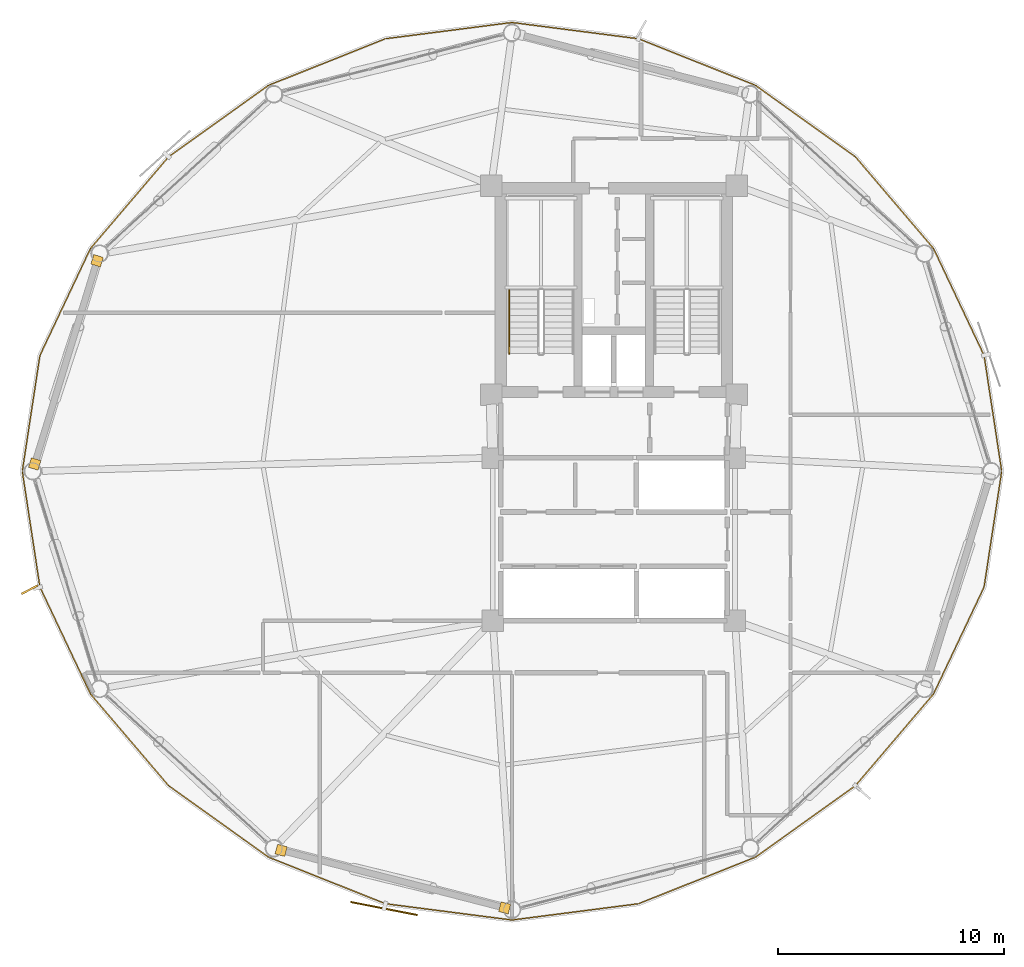
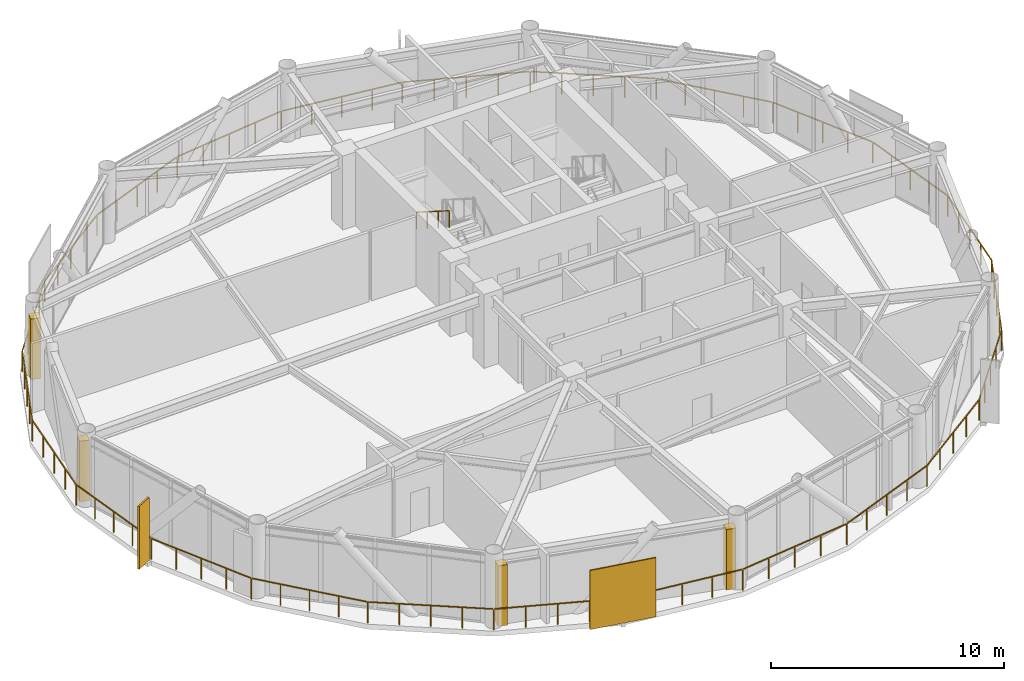
# One storey, part 23 of 25: 4 coverings, 2 railings, 2 shading devices.
"""IFC4 building model written with IfcOpenShell, lengths in metres."""

from ifc_helpers import new_model, si_unit, direction, frame, origin, origin_2d, place, context, subcontext, project, spatial, rectangle, extrude, source, transform, mapped, material, layer, layer_set, type_object, type_shapes, element, save


model = new_model("IFC4")

# Units and contexts
model_context = context("Model", 3, precision=1e-05, world=origin(), true_north=direction((0.0, 1.0)))
body_context = subcontext(model_context, "Body", "Model", "MODEL_VIEW")
ifc_project = project(units=[si_unit("LENGTHUNIT", "METRE"), si_unit("AREAUNIT", "SQUARE_METRE"), si_unit("VOLUMEUNIT", "CUBIC_METRE"), si_unit("PLANEANGLEUNIT", "RADIAN"), si_unit("MASSUNIT", "GRAM", prefix="KILO")], contexts=[model_context])

# Site, building, storey
site_placement = place(None, origin())
site = spatial("IfcSite", under=ifc_project, at=site_placement, CompositionType="ELEMENT")
building_placement = place(site_placement, origin())
building = spatial("IfcBuilding", under=site, at=building_placement, Name="Varnakorn Sky Granary", CompositionType="ELEMENT")
storey_placement = place(building_placement, frame((0.0, 0.0, 126.60009765625)))
storey = spatial("IfcBuildingStorey", under=building, at=storey_placement, Name="L31", CompositionType="ELEMENT", Elevation=126.60009765625)

# Railings
ifc_material_1 = material(Name="Anodised Bronze Aluminium Alloy 6063-T6", Category="aluminium")
railing_type_1 = type_object("IfcRailingType", Name="RL-BAL-1120", PredefinedType="BALUSTRADE", material=ifc_material_1)
railing_1_placement = place(storey_placement, frame((20.1318359375, 0.0, 0.0)))
element("IfcRailing", 1, at=railing_1_placement, inside=storey, type_object=railing_type_1, Name="Perimeter Slab-Edge Safety Guard L31", PredefinedType="BALUSTRADE", context=body_context, shape_type="SweptSolid", body=[
    extrude(rectangle(XDim=0.048095703125, YDim=0.048095703125, at=origin_2d()), frame((-0.004150390625, -0.027587890625, 1.09619140625), z_axis=(-0.150649503688, -0.98858723795, 0.0), x_axis=(0.98858723795, -0.150649503688, 0.0)), (0.0, 0.0, 1.0), 5.11865234375),
    extrude(rectangle(XDim=0.048095703125, YDim=0.048095703125, at=origin_2d()), frame((-0.79150390625, -5.140869140625, 1.09619140625), z_axis=(-0.427274769897, -0.904121823102, 0.0), x_axis=(0.904121823102, -0.427274769897, 0.0)), (0.0, 0.0, 1.0), 5.16943359375),
    extrude(rectangle(XDim=0.048095703125, YDim=0.048095703125, at=origin_2d()), frame((-3.0302734375, -9.861083984375, 1.09619140625), z_axis=(-0.648462513174, -0.761246588832, 0.0), x_axis=(0.761246588832, -0.648462513174, 0.0)), (0.0, 0.0, 1.0), 5.260498046875),
    extrude(rectangle(XDim=0.048095703125, YDim=0.048095703125, at=origin_2d()), frame((-6.482421875, -13.9033203125, 1.09619140625), z_axis=(-0.81336611846, -0.581752144252, 0.0), x_axis=(0.581752144252, -0.81336611846, 0.0)), (0.0, 0.0, 1.0), 5.3798828125),
    extrude(rectangle(XDim=0.048095703125, YDim=0.048095703125, at=origin_2d()), frame((-10.9072265625, -17.0595703125, 1.09619140625), z_axis=(-0.929123716804, -0.369769007453, 0.0), x_axis=(0.369769007453, -0.929123716804, 0.0)), (0.0, 0.0, 1.0), 5.500732421875),
    extrude(rectangle(XDim=0.048095703125, YDim=0.048095703125, at=origin_2d()), frame((-16.07177734375, -19.107666015625, 1.09619140625), z_axis=(-0.991817913669, -0.127660589552, 0.0), x_axis=(0.127660589552, -0.991817913669, 0.0)), (0.0, 0.0, 1.0), 5.577880859375),
    extrude(rectangle(XDim=0.048095703125, YDim=0.048095703125, at=origin_2d()), frame((-21.65966796875, -19.819580078125, 1.09619140625), z_axis=(-0.991817913669, 0.127660589552, 0.0), x_axis=(-0.127660589552, -0.991817913669, 0.0)), (0.0, 0.0, 1.0), 5.577880859375),
    extrude(rectangle(XDim=0.048095703125, YDim=0.048095703125, at=origin_2d()), frame((-27.245849609375, -19.09375, 1.09619140625), z_axis=(-0.929123716804, 0.369769007453, 0.0), x_axis=(-0.369769007453, -0.929123716804, 0.0)), (0.0, 0.0, 1.0), 5.500732421875),
    extrude(rectangle(XDim=0.048095703125, YDim=0.048095703125, at=origin_2d()), frame((-32.4052734375, -17.032958984375, 1.09619140625), z_axis=(-0.81336611846, 0.581752144252, 0.0), x_axis=(-0.581752144252, -0.81336611846, 0.0)), (0.0, 0.0, 1.0), 5.3798828125),
    extrude(rectangle(XDim=0.048095703125, YDim=0.048095703125, at=origin_2d()), frame((-36.822021484375, -13.86572265625, 1.09619140625), z_axis=(-0.648462513174, 0.761246588832, 0.0), x_axis=(-0.761246588832, -0.648462513174, 0.0)), (0.0, 0.0, 1.0), 5.260498046875),
    extrude(rectangle(XDim=0.048095703125, YDim=0.048095703125, at=origin_2d()), frame((-40.263427734375, -9.814453125, 1.09619140625), z_axis=(-0.427274769897, 0.904121823102, 0.0), x_axis=(-0.904121823102, -0.427274769897, 0.0)), (0.0, 0.0, 1.0), 5.16943359375),
    extrude(rectangle(XDim=0.048095703125, YDim=0.048095703125, at=origin_2d()), frame((-42.48828125, -5.087890625, 1.09619140625), z_axis=(-0.150649503688, 0.98858723795, 0.0), x_axis=(-0.98858723795, -0.150649503688, 0.0)), (0.0, 0.0, 1.0), 5.11865234375),
    extrude(rectangle(XDim=0.048095703125, YDim=0.048095703125, at=origin_2d()), frame((-43.259521484375, 0.027587890625, 1.09619140625), z_axis=(0.150649503688, 0.98858723795, 0.0), x_axis=(-0.98858723795, 0.150649503688, 0.0)), (0.0, 0.0, 1.0), 5.11865234375),
    extrude(rectangle(XDim=0.048095703125, YDim=0.048095703125, at=origin_2d()), frame((-42.47216796875, 5.140869140625, 1.09619140625), z_axis=(0.427274769897, 0.904121823102, 0.0), x_axis=(-0.904121823102, 0.427274769897, 0.0)), (0.0, 0.0, 1.0), 5.16943359375),
    extrude(rectangle(XDim=0.048095703125, YDim=0.048095703125, at=origin_2d()), frame((-40.2333984375, 9.861083984375, 1.09619140625), z_axis=(0.648462513174, 0.761246588832, 0.0), x_axis=(-0.761246588832, 0.648462513174, 0.0)), (0.0, 0.0, 1.0), 5.260498046875),
    extrude(rectangle(XDim=0.048095703125, YDim=0.048095703125, at=origin_2d()), frame((-36.78125, 13.9033203125, 1.09619140625), z_axis=(0.81336611846, 0.581752144252, 0.0), x_axis=(-0.581752144252, 0.81336611846, 0.0)), (0.0, 0.0, 1.0), 5.3798828125),
    extrude(rectangle(XDim=0.048095703125, YDim=0.048095703125, at=origin_2d()), frame((-32.3564453125, 17.0595703125, 1.09619140625), z_axis=(0.929123716804, 0.369769007453, 0.0), x_axis=(-0.369769007453, 0.929123716804, 0.0)), (0.0, 0.0, 1.0), 5.500732421875),
    extrude(rectangle(XDim=0.048095703125, YDim=0.048095703125, at=origin_2d()), frame((-27.19189453125, 19.107666015625, 1.09619140625), z_axis=(0.991817913669, 0.127660589552, 0.0), x_axis=(-0.127660589552, 0.991817913669, 0.0)), (0.0, 0.0, 1.0), 5.577880859375),
    extrude(rectangle(XDim=0.048095703125, YDim=0.048095703125, at=origin_2d()), frame((-21.60400390625, 19.819580078125, 1.09619140625), z_axis=(0.991817913669, -0.127660589552, 0.0), x_axis=(0.127660589552, 0.991817913669, 0.0)), (0.0, 0.0, 1.0), 5.577880859375),
    extrude(rectangle(XDim=0.048095703125, YDim=0.048095703125, at=origin_2d()), frame((-16.017822265625, 19.09375, 1.09619140625), z_axis=(0.929123716804, -0.369769007453, 0.0), x_axis=(0.369769007453, 0.929123716804, 0.0)), (0.0, 0.0, 1.0), 5.500732421875),
    extrude(rectangle(XDim=0.048095703125, YDim=0.048095703125, at=origin_2d()), frame((-10.8583984375, 17.032958984375, 1.09619140625), z_axis=(0.81336611846, -0.581752144252, 0.0), x_axis=(0.581752144252, 0.81336611846, 0.0)), (0.0, 0.0, 1.0), 5.3798828125),
    extrude(rectangle(XDim=0.048095703125, YDim=0.048095703125, at=origin_2d()), frame((-6.441650390625, 13.86572265625, 1.09619140625), z_axis=(0.648462513174, -0.761246588832, 0.0), x_axis=(0.761246588832, 0.648462513174, 0.0)), (0.0, 0.0, 1.0), 5.260498046875),
    extrude(rectangle(XDim=0.048095703125, YDim=0.048095703125, at=origin_2d()), frame((-3.000244140625, 9.814453125, 1.09619140625), z_axis=(0.427274769897, -0.904121823102, 0.0), x_axis=(0.904121823102, 0.427274769897, 0.0)), (0.0, 0.0, 1.0), 5.16943359375),
    extrude(rectangle(XDim=0.048095703125, YDim=0.048095703125, at=origin_2d()), frame((-0.775390625, 5.087890625, 1.09619140625), z_axis=(0.150649503688, -0.98858723795, 0.0), x_axis=(0.98858723795, 0.150649503688, 0.0)), (0.0, 0.0, 1.0), 5.11865234375),
    extrude(rectangle(XDim=0.0419921875, YDim=0.0419921875, at=origin_2d()), origin(), (0.0, 0.0, 1.0), 1.068115234375),
    extrude(rectangle(XDim=0.0419921875, YDim=0.0419921875, at=origin_2d()), frame((-0.19482421875, -1.27880859375, 0.0)), (0.0, 0.0, 1.0), 1.068115234375),
    extrude(rectangle(XDim=0.0419921875, YDim=0.0419921875, at=origin_2d()), frame((-0.3896484375, -2.5576171875, 0.0)), (0.0, 0.0, 1.0), 1.068115234375),
    extrude(rectangle(XDim=0.0419921875, YDim=0.0419921875, at=origin_2d()), frame((-0.584716796875, -3.836669921875, 0.0)), (0.0, 0.0, 1.0), 1.068115234375),
    extrude(rectangle(XDim=0.0419921875, YDim=0.0419921875, at=origin_2d()), frame((-0.779541015625, -5.115478515625, 0.0)), (0.0, 0.0, 1.0), 1.068115234375),
    extrude(rectangle(XDim=0.0419921875, YDim=0.0419921875, at=origin_2d()), frame((-1.337646484375, -6.296630859375, 0.0)), (0.0, 0.0, 1.0), 1.068115234375),
    extrude(rectangle(XDim=0.0419921875, YDim=0.0419921875, at=origin_2d()), frame((-1.89599609375, -7.4775390625, 0.0)), (0.0, 0.0, 1.0), 1.068115234375),
    extrude(rectangle(XDim=0.0419921875, YDim=0.0419921875, at=origin_2d()), frame((-2.4541015625, -8.65869140625, 0.0)), (0.0, 0.0, 1.0), 1.068115234375),
    extrude(rectangle(XDim=0.0419921875, YDim=0.0419921875, at=origin_2d()), frame((-3.01220703125, -9.83984375, 0.0)), (0.0, 0.0, 1.0), 1.068115234375),
    extrude(rectangle(XDim=0.0419921875, YDim=0.0419921875, at=origin_2d()), frame((-3.8740234375, -10.8515625, 0.0)), (0.0, 0.0, 1.0), 1.068115234375),
    extrude(rectangle(XDim=0.0419921875, YDim=0.0419921875, at=origin_2d()), frame((-4.73583984375, -11.86328125, 0.0)), (0.0, 0.0, 1.0), 1.068115234375),
    extrude(rectangle(XDim=0.0419921875, YDim=0.0419921875, at=origin_2d()), frame((-5.597900390625, -12.875244140625, 0.0)), (0.0, 0.0, 1.0), 1.068115234375),
    extrude(rectangle(XDim=0.0419921875, YDim=0.0419921875, at=origin_2d()), frame((-6.459716796875, -13.886962890625, 0.0)), (0.0, 0.0, 1.0), 1.068115234375),
    extrude(rectangle(XDim=0.0419921875, YDim=0.0419921875, at=origin_2d()), frame((-7.56494140625, -14.677490234375, 0.0)), (0.0, 0.0, 1.0), 1.068115234375),
    extrude(rectangle(XDim=0.0419921875, YDim=0.0419921875, at=origin_2d()), frame((-8.67041015625, -15.46826171875, 0.0)), (0.0, 0.0, 1.0), 1.068115234375),
    extrude(rectangle(XDim=0.0419921875, YDim=0.0419921875, at=origin_2d()), frame((-9.77587890625, -16.2587890625, 0.0)), (0.0, 0.0, 1.0), 1.068115234375),
    extrude(rectangle(XDim=0.0419921875, YDim=0.0419921875, at=origin_2d()), frame((-10.881103515625, -17.04931640625, 0.0)), (0.0, 0.0, 1.0), 1.068115234375),
    extrude(rectangle(XDim=0.0419921875, YDim=0.0419921875, at=origin_2d()), frame((-12.171875, -17.56298828125, 0.0)), (0.0, 0.0, 1.0), 1.068115234375),
    extrude(rectangle(XDim=0.0419921875, YDim=0.0419921875, at=origin_2d()), frame((-13.46240234375, -18.07666015625, 0.0)), (0.0, 0.0, 1.0), 1.068115234375),
    extrude(rectangle(XDim=0.0419921875, YDim=0.0419921875, at=origin_2d()), frame((-14.753173828125, -18.59033203125, 0.0)), (0.0, 0.0, 1.0), 1.068115234375),
    extrude(rectangle(XDim=0.0419921875, YDim=0.0419921875, at=origin_2d()), frame((-16.0439453125, -19.10400390625, 0.0)), (0.0, 0.0, 1.0), 1.068115234375),
    extrude(rectangle(XDim=0.0419921875, YDim=0.0419921875, at=origin_2d()), frame((-17.44091796875, -19.28369140625, 0.0)), (0.0, 0.0, 1.0), 1.068115234375),
    extrude(rectangle(XDim=0.0419921875, YDim=0.0419921875, at=origin_2d()), frame((-18.837890625, -19.463623046875, 0.0)), (0.0, 0.0, 1.0), 1.068115234375),
    extrude(rectangle(XDim=0.0419921875, YDim=0.0419921875, at=origin_2d()), frame((-20.23486328125, -19.6435546875, 0.0)), (0.0, 0.0, 1.0), 1.068115234375),
    extrude(rectangle(XDim=0.0419921875, YDim=0.0419921875, at=origin_2d()), frame((-21.6318359375, -19.8232421875, 0.0)), (0.0, 0.0, 1.0), 1.068115234375),
    extrude(rectangle(XDim=0.0419921875, YDim=0.0419921875, at=origin_2d()), frame((-23.02880859375, -19.6435546875, 0.0)), (0.0, 0.0, 1.0), 1.068115234375),
    extrude(rectangle(XDim=0.0419921875, YDim=0.0419921875, at=origin_2d()), frame((-24.42578125, -19.463623046875, 0.0)), (0.0, 0.0, 1.0), 1.068115234375),
    extrude(rectangle(XDim=0.0419921875, YDim=0.0419921875, at=origin_2d()), frame((-25.82275390625, -19.28369140625, 0.0)), (0.0, 0.0, 1.0), 1.068115234375),
    extrude(rectangle(XDim=0.0419921875, YDim=0.0419921875, at=origin_2d()), frame((-27.2197265625, -19.10400390625, 0.0)), (0.0, 0.0, 1.0), 1.068115234375),
    extrude(rectangle(XDim=0.0419921875, YDim=0.0419921875, at=origin_2d()), frame((-28.510498046875, -18.59033203125, 0.0)), (0.0, 0.0, 1.0), 1.068115234375),
    extrude(rectangle(XDim=0.0419921875, YDim=0.0419921875, at=origin_2d()), frame((-29.80126953125, -18.07666015625, 0.0)), (0.0, 0.0, 1.0), 1.068115234375),
    extrude(rectangle(XDim=0.0419921875, YDim=0.0419921875, at=origin_2d()), frame((-31.091796875, -17.56298828125, 0.0)), (0.0, 0.0, 1.0), 1.068115234375),
    extrude(rectangle(XDim=0.0419921875, YDim=0.0419921875, at=origin_2d()), frame((-32.382568359375, -17.04931640625, 0.0)), (0.0, 0.0, 1.0), 1.068115234375),
    extrude(rectangle(XDim=0.0419921875, YDim=0.0419921875, at=origin_2d()), frame((-33.48779296875, -16.2587890625, 0.0)), (0.0, 0.0, 1.0), 1.068115234375),
    extrude(rectangle(XDim=0.0419921875, YDim=0.0419921875, at=origin_2d()), frame((-34.59326171875, -15.46826171875, 0.0)), (0.0, 0.0, 1.0), 1.068115234375),
    extrude(rectangle(XDim=0.0419921875, YDim=0.0419921875, at=origin_2d()), frame((-35.69873046875, -14.677490234375, 0.0)), (0.0, 0.0, 1.0), 1.068115234375),
    extrude(rectangle(XDim=0.0419921875, YDim=0.0419921875, at=origin_2d()), frame((-36.803955078125, -13.886962890625, 0.0)), (0.0, 0.0, 1.0), 1.068115234375),
    extrude(rectangle(XDim=0.0419921875, YDim=0.0419921875, at=origin_2d()), frame((-37.665771484375, -12.875244140625, 0.0)), (0.0, 0.0, 1.0), 1.068115234375),
    extrude(rectangle(XDim=0.0419921875, YDim=0.0419921875, at=origin_2d()), frame((-38.52783203125, -11.86328125, 0.0)), (0.0, 0.0, 1.0), 1.068115234375),
    extrude(rectangle(XDim=0.0419921875, YDim=0.0419921875, at=origin_2d()), frame((-39.3896484375, -10.8515625, 0.0)), (0.0, 0.0, 1.0), 1.068115234375),
    extrude(rectangle(XDim=0.0419921875, YDim=0.0419921875, at=origin_2d()), frame((-40.25146484375, -9.83984375, 0.0)), (0.0, 0.0, 1.0), 1.068115234375),
    extrude(rectangle(XDim=0.0419921875, YDim=0.0419921875, at=origin_2d()), frame((-40.8095703125, -8.65869140625, 0.0)), (0.0, 0.0, 1.0), 1.068115234375),
    extrude(rectangle(XDim=0.0419921875, YDim=0.0419921875, at=origin_2d()), frame((-41.36767578125, -7.4775390625, 0.0)), (0.0, 0.0, 1.0), 1.068115234375),
    extrude(rectangle(XDim=0.0419921875, YDim=0.0419921875, at=origin_2d()), frame((-41.926025390625, -6.296630859375, 0.0)), (0.0, 0.0, 1.0), 1.068115234375),
    extrude(rectangle(XDim=0.0419921875, YDim=0.0419921875, at=origin_2d()), frame((-42.484130859375, -5.115478515625, 0.0)), (0.0, 0.0, 1.0), 1.068115234375),
    extrude(rectangle(XDim=0.0419921875, YDim=0.0419921875, at=origin_2d()), frame((-42.678955078125, -3.836669921875, 0.0)), (0.0, 0.0, 1.0), 1.068115234375),
    extrude(rectangle(XDim=0.0419921875, YDim=0.0419921875, at=origin_2d()), frame((-42.8740234375, -2.5576171875, 0.0)), (0.0, 0.0, 1.0), 1.068115234375),
    extrude(rectangle(XDim=0.0419921875, YDim=0.0419921875, at=origin_2d()), frame((-43.06884765625, -1.27880859375, 0.0)), (0.0, 0.0, 1.0), 1.068115234375),
    extrude(rectangle(XDim=0.0419921875, YDim=0.0419921875, at=origin_2d()), frame((-43.263671875, 0.0, 0.0)), (0.0, 0.0, 1.0), 1.068115234375),
    extrude(rectangle(XDim=0.0419921875, YDim=0.0419921875, at=origin_2d()), frame((-43.06884765625, 1.27880859375, 0.0)), (0.0, 0.0, 1.0), 1.068115234375),
    extrude(rectangle(XDim=0.0419921875, YDim=0.0419921875, at=origin_2d()), frame((-42.8740234375, 2.5576171875, 0.0)), (0.0, 0.0, 1.0), 1.068115234375),
    extrude(rectangle(XDim=0.0419921875, YDim=0.0419921875, at=origin_2d()), frame((-42.678955078125, 3.836669921875, 0.0)), (0.0, 0.0, 1.0), 1.068115234375),
    extrude(rectangle(XDim=0.0419921875, YDim=0.0419921875, at=origin_2d()), frame((-42.484130859375, 5.115478515625, 0.0)), (0.0, 0.0, 1.0), 1.068115234375),
    extrude(rectangle(XDim=0.0419921875, YDim=0.0419921875, at=origin_2d()), frame((-41.926025390625, 6.296630859375, 0.0)), (0.0, 0.0, 1.0), 1.068115234375),
    extrude(rectangle(XDim=0.0419921875, YDim=0.0419921875, at=origin_2d()), frame((-41.36767578125, 7.4775390625, 0.0)), (0.0, 0.0, 1.0), 1.068115234375),
    extrude(rectangle(XDim=0.0419921875, YDim=0.0419921875, at=origin_2d()), frame((-40.8095703125, 8.65869140625, 0.0)), (0.0, 0.0, 1.0), 1.068115234375),
    extrude(rectangle(XDim=0.0419921875, YDim=0.0419921875, at=origin_2d()), frame((-40.25146484375, 9.83984375, 0.0)), (0.0, 0.0, 1.0), 1.068115234375),
    extrude(rectangle(XDim=0.0419921875, YDim=0.0419921875, at=origin_2d()), frame((-39.3896484375, 10.8515625, 0.0)), (0.0, 0.0, 1.0), 1.068115234375),
    extrude(rectangle(XDim=0.0419921875, YDim=0.0419921875, at=origin_2d()), frame((-38.52783203125, 11.86328125, 0.0)), (0.0, 0.0, 1.0), 1.068115234375),
    extrude(rectangle(XDim=0.0419921875, YDim=0.0419921875, at=origin_2d()), frame((-37.665771484375, 12.875244140625, 0.0)), (0.0, 0.0, 1.0), 1.068115234375),
    extrude(rectangle(XDim=0.0419921875, YDim=0.0419921875, at=origin_2d()), frame((-36.803955078125, 13.886962890625, 0.0)), (0.0, 0.0, 1.0), 1.068115234375),
    extrude(rectangle(XDim=0.0419921875, YDim=0.0419921875, at=origin_2d()), frame((-35.69873046875, 14.677490234375, 0.0)), (0.0, 0.0, 1.0), 1.068115234375),
    extrude(rectangle(XDim=0.0419921875, YDim=0.0419921875, at=origin_2d()), frame((-34.59326171875, 15.46826171875, 0.0)), (0.0, 0.0, 1.0), 1.068115234375),
    extrude(rectangle(XDim=0.0419921875, YDim=0.0419921875, at=origin_2d()), frame((-33.48779296875, 16.2587890625, 0.0)), (0.0, 0.0, 1.0), 1.068115234375),
    extrude(rectangle(XDim=0.0419921875, YDim=0.0419921875, at=origin_2d()), frame((-32.382568359375, 17.04931640625, 0.0)), (0.0, 0.0, 1.0), 1.068115234375),
    extrude(rectangle(XDim=0.0419921875, YDim=0.0419921875, at=origin_2d()), frame((-31.091796875, 17.56298828125, 0.0)), (0.0, 0.0, 1.0), 1.068115234375),
    extrude(rectangle(XDim=0.0419921875, YDim=0.0419921875, at=origin_2d()), frame((-29.80126953125, 18.07666015625, 0.0)), (0.0, 0.0, 1.0), 1.068115234375),
    extrude(rectangle(XDim=0.0419921875, YDim=0.0419921875, at=origin_2d()), frame((-28.510498046875, 18.59033203125, 0.0)), (0.0, 0.0, 1.0), 1.068115234375),
    extrude(rectangle(XDim=0.0419921875, YDim=0.0419921875, at=origin_2d()), frame((-27.2197265625, 19.10400390625, 0.0)), (0.0, 0.0, 1.0), 1.068115234375),
    extrude(rectangle(XDim=0.0419921875, YDim=0.0419921875, at=origin_2d()), frame((-25.82275390625, 19.28369140625, 0.0)), (0.0, 0.0, 1.0), 1.068115234375),
    extrude(rectangle(XDim=0.0419921875, YDim=0.0419921875, at=origin_2d()), frame((-24.42578125, 19.463623046875, 0.0)), (0.0, 0.0, 1.0), 1.068115234375),
    extrude(rectangle(XDim=0.0419921875, YDim=0.0419921875, at=origin_2d()), frame((-23.02880859375, 19.6435546875, 0.0)), (0.0, 0.0, 1.0), 1.068115234375),
    extrude(rectangle(XDim=0.0419921875, YDim=0.0419921875, at=origin_2d()), frame((-21.6318359375, 19.8232421875, 0.0)), (0.0, 0.0, 1.0), 1.068115234375),
    extrude(rectangle(XDim=0.0419921875, YDim=0.0419921875, at=origin_2d()), frame((-20.23486328125, 19.6435546875, 0.0)), (0.0, 0.0, 1.0), 1.068115234375),
    extrude(rectangle(XDim=0.0419921875, YDim=0.0419921875, at=origin_2d()), frame((-18.837890625, 19.463623046875, 0.0)), (0.0, 0.0, 1.0), 1.068115234375),
    extrude(rectangle(XDim=0.0419921875, YDim=0.0419921875, at=origin_2d()), frame((-17.44091796875, 19.28369140625, 0.0)), (0.0, 0.0, 1.0), 1.068115234375),
    extrude(rectangle(XDim=0.0419921875, YDim=0.0419921875, at=origin_2d()), frame((-16.0439453125, 19.10400390625, 0.0)), (0.0, 0.0, 1.0), 1.068115234375),
    extrude(rectangle(XDim=0.0419921875, YDim=0.0419921875, at=origin_2d()), frame((-14.753173828125, 18.59033203125, 0.0)), (0.0, 0.0, 1.0), 1.068115234375),
    extrude(rectangle(XDim=0.0419921875, YDim=0.0419921875, at=origin_2d()), frame((-13.46240234375, 18.07666015625, 0.0)), (0.0, 0.0, 1.0), 1.068115234375),
    extrude(rectangle(XDim=0.0419921875, YDim=0.0419921875, at=origin_2d()), frame((-12.171875, 17.56298828125, 0.0)), (0.0, 0.0, 1.0), 1.068115234375),
    extrude(rectangle(XDim=0.0419921875, YDim=0.0419921875, at=origin_2d()), frame((-10.881103515625, 17.04931640625, 0.0)), (0.0, 0.0, 1.0), 1.068115234375),
    extrude(rectangle(XDim=0.0419921875, YDim=0.0419921875, at=origin_2d()), frame((-9.77587890625, 16.2587890625, 0.0)), (0.0, 0.0, 1.0), 1.068115234375),
    extrude(rectangle(XDim=0.0419921875, YDim=0.0419921875, at=origin_2d()), frame((-8.67041015625, 15.46826171875, 0.0)), (0.0, 0.0, 1.0), 1.068115234375),
    extrude(rectangle(XDim=0.0419921875, YDim=0.0419921875, at=origin_2d()), frame((-7.56494140625, 14.677490234375, 0.0)), (0.0, 0.0, 1.0), 1.068115234375),
    extrude(rectangle(XDim=0.0419921875, YDim=0.0419921875, at=origin_2d()), frame((-6.459716796875, 13.886962890625, 0.0)), (0.0, 0.0, 1.0), 1.068115234375),
    extrude(rectangle(XDim=0.0419921875, YDim=0.0419921875, at=origin_2d()), frame((-5.597900390625, 12.875244140625, 0.0)), (0.0, 0.0, 1.0), 1.068115234375),
    extrude(rectangle(XDim=0.0419921875, YDim=0.0419921875, at=origin_2d()), frame((-4.73583984375, 11.86328125, 0.0)), (0.0, 0.0, 1.0), 1.068115234375),
    extrude(rectangle(XDim=0.0419921875, YDim=0.0419921875, at=origin_2d()), frame((-3.8740234375, 10.8515625, 0.0)), (0.0, 0.0, 1.0), 1.068115234375),
    extrude(rectangle(XDim=0.0419921875, YDim=0.0419921875, at=origin_2d()), frame((-3.01220703125, 9.83984375, 0.0)), (0.0, 0.0, 1.0), 1.068115234375),
    extrude(rectangle(XDim=0.0419921875, YDim=0.0419921875, at=origin_2d()), frame((-2.4541015625, 8.65869140625, 0.0)), (0.0, 0.0, 1.0), 1.068115234375),
    extrude(rectangle(XDim=0.0419921875, YDim=0.0419921875, at=origin_2d()), frame((-1.89599609375, 7.4775390625, 0.0)), (0.0, 0.0, 1.0), 1.068115234375),
    extrude(rectangle(XDim=0.0419921875, YDim=0.0419921875, at=origin_2d()), frame((-1.337646484375, 6.296630859375, 0.0)), (0.0, 0.0, 1.0), 1.068115234375),
    extrude(rectangle(XDim=0.0419921875, YDim=0.0419921875, at=origin_2d()), frame((-0.779541015625, 5.115478515625, 0.0)), (0.0, 0.0, 1.0), 1.068115234375),
    extrude(rectangle(XDim=0.0419921875, YDim=0.0419921875, at=origin_2d()), frame((-0.584716796875, 3.836669921875, 0.0)), (0.0, 0.0, 1.0), 1.068115234375),
    extrude(rectangle(XDim=0.0419921875, YDim=0.0419921875, at=origin_2d()), frame((-0.3896484375, 2.5576171875, 0.0)), (0.0, 0.0, 1.0), 1.068115234375),
    extrude(rectangle(XDim=0.0419921875, YDim=0.0419921875, at=origin_2d()), frame((-0.19482421875, 1.27880859375, 0.0)), (0.0, 0.0, 1.0), 1.068115234375),
])
ifc_material_2 = material(Name="Brushed Stainless Steel 316", Category="steel")
railing_type_2 = type_object("IfcRailingType", Name="RL-STAIR-920", PredefinedType="HANDRAIL", material=ifc_material_2)
railing_2_placement = place(storey_placement, frame((-1.6201171875, 8.0, 2.127197265625)))
element("IfcRailing", 2, at=railing_2_placement, inside=storey, type_object=railing_type_2, Name="L31 ST-1 stair handrail 2", PredefinedType="HANDRAIL", context=body_context, shape_type="SweptSolid", body=[
    extrude(rectangle(XDim=0.048095703125, YDim=0.048095703125, at=origin_2d()), frame((0.0, 0.0, 0.8759765625), z_axis=(0.0, -0.844908973607, 0.534910110503), x_axis=(1.0, 0.0, 0.0)), (0.0, 0.0, 1.0), 3.31396484375),
    extrude(rectangle(XDim=0.0419921875, YDim=0.0419921875, at=origin_2d()), origin(), (0.0, 0.0, 1.0), 0.847900390625),
    extrude(rectangle(XDim=0.0419921875, YDim=0.0419921875, at=origin_2d()), frame((0.0, -0.933349609375, 0.5908203125)), (0.0, 0.0, 1.0), 0.847900390625),
    extrude(rectangle(XDim=0.0419921875, YDim=0.0419921875, at=origin_2d()), frame((0.0, -1.86669921875, 1.181884765625)), (0.0, 0.0, 1.0), 0.847900390625),
    extrude(rectangle(XDim=0.0419921875, YDim=0.0419921875, at=origin_2d()), frame((0.0, -2.800048828125, 1.772705078125)), (0.0, 0.0, 1.0), 0.847900390625),
])

# Shading devices
shading_device_type_1 = type_object("IfcShadingDeviceType", Name="SH-SCR-02", PredefinedType="USERDEFINED", material=ifc_material_1)
shared_shape_1 = source(origin(), body_context, "Body", "SweptSolid", [
    extrude(rectangle(XDim=3.0, YDim=0.06494140625, at=origin_2d()), origin(), (0.0, 0.0, 1.0), 3.10009765625),
])
type_shapes(shading_device_type_1, [shared_shape_1])
shading_device_1_placement = place(storey_placement, frame((-7.149658203125, -19.31591796875, -0.0400390625), z_axis=(0.0, 0.0, 1.0), x_axis=(0.981449650187, -0.191720067152, 0.0)))
element("IfcShadingDevice", 3, at=shading_device_1_placement, inside=storey, type_object=shading_device_type_1, Name="Perforated Bronze Solar Screen Panel SCREEN L31-09", ObjectType="SCREEN", PredefinedType="USERDEFINED", context=body_context, shape_type="MappedRepresentation", body=[
    mapped(shared_shape_1, transform((0.0, 0.0, 0.0), x_axis=(1.0, 0.0, 0.0), y_axis=(0.0, 1.0, 0.0), z_axis=(0.0, 0.0, 1.0), scale=1.0)),
])
shading_device_type_2 = type_object("IfcShadingDeviceType", Name="SH-FIN-02", PredefinedType="USERDEFINED", material=ifc_material_1)
shared_shape_2 = source(origin(), body_context, "Body", "SweptSolid", [
    extrude(rectangle(XDim=0.0849609375, YDim=0.820068359375, at=origin_2d()), origin(), (0.0, 0.0, 1.0), 3.300048828125),
])
type_shapes(shading_device_type_2, [shared_shape_2])
shading_device_2_placement = place(storey_placement, frame((-22.80908203125, -5.230712890625, -0.0400390625), z_axis=(0.0, 0.0, 1.0), x_axis=(0.46905999601, -0.883166303786, 0.0)))
element("IfcShadingDevice", 4, at=shading_device_2_placement, inside=storey, type_object=shading_device_type_2, Name="Bronze Solar-Tracking Vertical Blade FIN L31-07", ObjectType="FIN", PredefinedType="USERDEFINED", context=body_context, shape_type="MappedRepresentation", body=[
    mapped(shared_shape_2, transform((0.0, 0.0, 0.0), x_axis=(1.0, 0.0, 0.0), y_axis=(0.0, 1.0, 0.0), z_axis=(0.0, 0.0, 1.0), scale=1.0)),
])

# Coverings
ifc_layer = layer(ifc_material_1, 0.050048828125, Name="Anodised Bronze Aluminium Alloy 6063-T6")
ifc_layer_set = layer_set([ifc_layer], Name="Anodised Bronze Aluminium Alloy 6063-T6")
covering_type = type_object("IfcCoveringType", Name="CV-CLAD-50", PredefinedType="CLADDING", material=ifc_layer_set)
shared_shape_3 = source(origin(), body_context, "Body", "SweptSolid", [
    extrude(rectangle(XDim=0.43994140625, YDim=0.43994140625, at=origin_2d()), origin(), (0.0, 0.0, 1.0), 3.179931640625),
])
type_shapes(covering_type, [shared_shape_3])
for number, where, z_axis, x_axis, name in (
    (5, (-22.584228515625, 0.3212890625, -0.02001953125), (0.0, 0.0, 1.0), (0.293706672624, 0.955895596002, 0.0), "Bronze Corner Pilaster Closure L31-P06-A"),
    (6, (-19.826904296875, 9.29833984375, -0.02001953125), (0.0, 0.0, 1.0), (0.293706672624, 0.955895596002, 0.0), "Bronze Corner Pilaster Closure L31-P06-B"),
    (7, (-1.825439453125, -19.2900390625, -0.02001953125), (0.0, 0.0, 1.0), (-0.96836576948, 0.249535040626, 0.0), "Bronze Corner Pilaster Closure L31-P09-A"),
    (8, (-11.698486328125, -16.745361328125, -0.02001953125), (0.0, 0.0, 1.0), (-0.96836576948, 0.249535040626, 0.0), "Bronze Corner Pilaster Closure L31-P09-B"),
):
    element("IfcCovering", number, at=place(storey_placement, frame(where, z_axis=z_axis, x_axis=x_axis)), inside=storey, type_object=covering_type, Name=name, PredefinedType="CLADDING", context=body_context, shape_type="MappedRepresentation", body=[
        mapped(shared_shape_3, transform((0.0, 0.0, 0.0), x_axis=(1.0, 0.0, 0.0), y_axis=(0.0, 1.0, 0.0), z_axis=(0.0, 0.0, 1.0), scale=1.0)),
    ])

save(model, "model.ifc")
